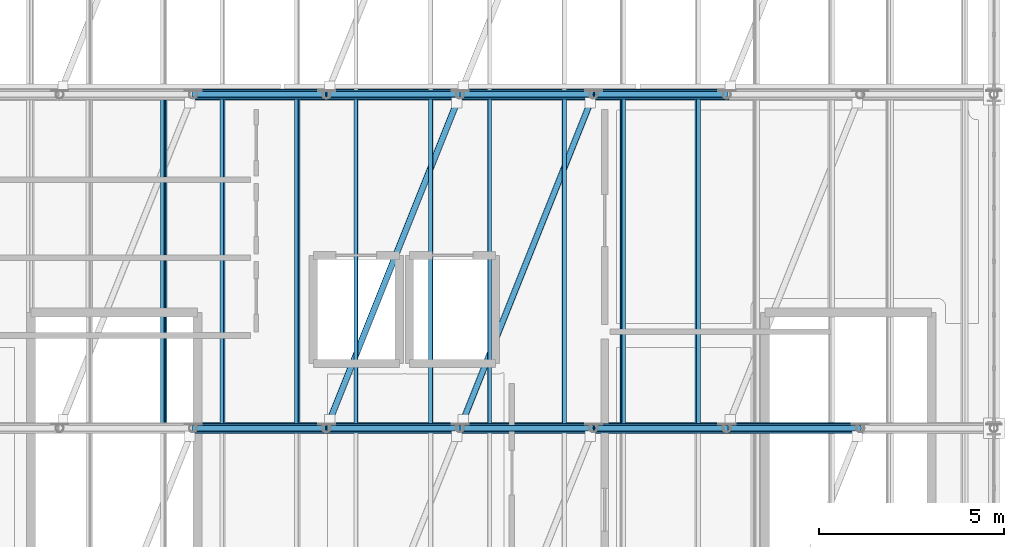
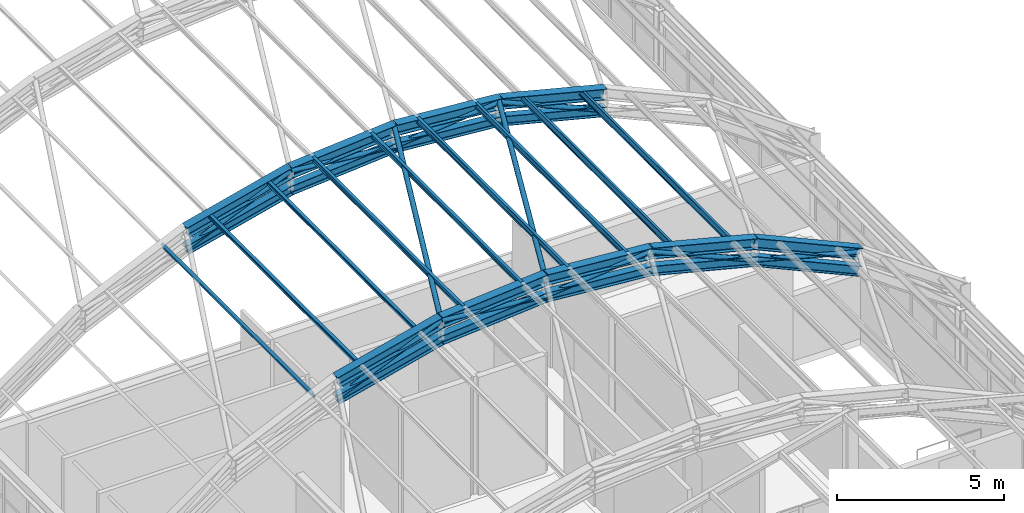
# One storey, part 35 of 121: 29 members, 9 beams.
"""IFC4 building model written with IfcOpenShell, lengths in metres."""

from ifc_helpers import new_model, si_unit, direction, frame, origin, origin_2d, place, context, subcontext, project, spatial, hollow_circle, i_section, extrude, material, material_profile, profile_set, type_object, element, save


model = new_model("IFC4")

# Units and contexts
model_context = context("Model", 3, precision=1e-05, world=origin(), true_north=direction((0.0, 1.0)))
body_context = subcontext(model_context, "Body", "Model", "MODEL_VIEW")
ifc_project = project(units=[si_unit("LENGTHUNIT", "METRE"), si_unit("AREAUNIT", "SQUARE_METRE"), si_unit("VOLUMEUNIT", "CUBIC_METRE"), si_unit("PLANEANGLEUNIT", "RADIAN"), si_unit("MASSUNIT", "GRAM", prefix="KILO")], contexts=[model_context])

# Site, building, storey
site_placement = place(None, origin())
site = spatial("IfcSite", under=ifc_project, at=site_placement, CompositionType="ELEMENT")
building_placement = place(site_placement, origin())
building = spatial("IfcBuilding", under=site, at=building_placement, Name="Canglan Escarpment Cableway Terminal", CompositionType="ELEMENT")
storey_placement = place(building_placement, frame((0.0, 0.0, 24.60009765625)))
storey = spatial("IfcBuildingStorey", under=building, at=storey_placement, Name="L05", CompositionType="ELEMENT", Elevation=24.60009765625)

# Beams
ifc_material = material(Name="Steel Q355B", Category="steel")
ifc_material_profile_1 = material_profile(ifc_material, i_section(OverallWidth=0.300048828125, OverallDepth=0.389892578125, WebThickness=0.010009765625, FlangeThickness=0.01611328125, FilletRadius=0.02197265625, at=origin_2d()), Name="HM 390x300x10x16")
ifc_profile_set_1 = profile_set([ifc_material_profile_1], Name="Steel Q355B")
beam_type = type_object("IfcBeamType", Name="BM-ARCH-TOP-HM390", PredefinedType="BEAM", material=ifc_profile_set_1)
beam_1_placement = place(storey_placement, frame((144.800048828125, 43.0, 7.23828125), z_axis=(0.969179969731, 0.0, 0.246353782743), x_axis=(0.0, 1.0, 0.0)))
element("IfcBeam", 1, at=beam_1_placement, inside=storey, type_object=beam_type, Name="Vault ROOF TRUSS arch top chord AR-TC1", PredefinedType="BEAM", context=body_context, shape_type="SweptSolid", body=[
    extrude(i_section(OverallWidth=0.300048828125, OverallDepth=0.389892578125, WebThickness=0.010009765625, FlangeThickness=0.01611328125, FilletRadius=0.02197265625, at=origin_2d()), origin(), (0.0, 0.0, 1.0), 3.71435546875),
])
for number, where, z_axis, x_axis, name in (
    (2, (148.39990234375, 43.0, 8.1533203125), (0.996622699984, 0.0, 0.082116952426), (0.0, 1.0, 0.0), "Vault ROOF TRUSS arch top chord AR-TC1"),
    (3, (152.0, 43.0, 8.449951171875), (0.996622699984, 0.0, -0.082116952426), (0.0, 1.0, 0.0), "Vault ROOF TRUSS arch top chord AR-TC1"),
):
    element("IfcBeam", number, at=place(storey_placement, frame(where, z_axis=z_axis, x_axis=x_axis)), inside=storey, type_object=beam_type, Name=name, PredefinedType="BEAM", context=body_context, shape_type="SweptSolid", body=[
        extrude(i_section(OverallWidth=0.300048828125, OverallDepth=0.389892578125, WebThickness=0.010009765625, FlangeThickness=0.01611328125, FilletRadius=0.02197265625, at=origin_2d()), origin(), (0.0, 0.0, 1.0), 3.6123046875),
    ])
beam_2_placement = place(storey_placement, frame((155.60009765625, 43.0, 8.1533203125), z_axis=(0.969179969731, 0.0, -0.246353782743), x_axis=(0.0, 1.0, 0.0)))
element("IfcBeam", 4, at=beam_2_placement, inside=storey, type_object=beam_type, Name="Vault ROOF TRUSS arch top chord AR-TC1", PredefinedType="BEAM", context=body_context, shape_type="SweptSolid", body=[
    extrude(i_section(OverallWidth=0.300048828125, OverallDepth=0.389892578125, WebThickness=0.010009765625, FlangeThickness=0.01611328125, FilletRadius=0.02197265625, at=origin_2d()), origin(), (0.0, 0.0, 1.0), 3.71435546875),
])
beam_3_placement = place(storey_placement, frame((159.199951171875, 43.0, 7.23828125), z_axis=(0.911752518833, 0.0, -0.410739996108), x_axis=(0.0, 1.0, 0.0)))
element("IfcBeam", 5, at=beam_3_placement, inside=storey, type_object=beam_type, Name="Vault ROOF TRUSS arch top chord AR-TC1", PredefinedType="BEAM", context=body_context, shape_type="SweptSolid", body=[
    extrude(i_section(OverallWidth=0.300048828125, OverallDepth=0.389892578125, WebThickness=0.010009765625, FlangeThickness=0.01611328125, FilletRadius=0.02197265625, at=origin_2d()), origin(), (0.0, 0.0, 1.0), 3.948486328125),
])
beam_4_placement = place(storey_placement, frame((144.800048828125, 52.0, 7.23828125), z_axis=(0.969179969731, 0.0, 0.246353782743), x_axis=(0.0, 1.0, 0.0)))
element("IfcBeam", 6, at=beam_4_placement, inside=storey, type_object=beam_type, Name="Vault ROOF TRUSS arch top chord AR-TC1", PredefinedType="BEAM", context=body_context, shape_type="SweptSolid", body=[
    extrude(i_section(OverallWidth=0.300048828125, OverallDepth=0.389892578125, WebThickness=0.010009765625, FlangeThickness=0.01611328125, FilletRadius=0.02197265625, at=origin_2d()), origin(), (0.0, 0.0, 1.0), 3.71435546875),
])
for number, where, z_axis, x_axis, name in (
    (7, (148.39990234375, 52.0, 8.1533203125), (0.996622699984, 0.0, 0.082116952426), (0.0, 1.0, 0.0), "Vault ROOF TRUSS arch top chord AR-TC1"),
    (8, (152.0, 52.0, 8.449951171875), (0.996622699984, 0.0, -0.082116952426), (0.0, 1.0, 0.0), "Vault ROOF TRUSS arch top chord AR-TC1"),
):
    element("IfcBeam", number, at=place(storey_placement, frame(where, z_axis=z_axis, x_axis=x_axis)), inside=storey, type_object=beam_type, Name=name, PredefinedType="BEAM", context=body_context, shape_type="SweptSolid", body=[
        extrude(i_section(OverallWidth=0.300048828125, OverallDepth=0.389892578125, WebThickness=0.010009765625, FlangeThickness=0.01611328125, FilletRadius=0.02197265625, at=origin_2d()), origin(), (0.0, 0.0, 1.0), 3.6123046875),
    ])
beam_5_placement = place(storey_placement, frame((155.60009765625, 52.0, 8.1533203125), z_axis=(0.969179969731, 0.0, -0.246353782743), x_axis=(0.0, 1.0, 0.0)))
element("IfcBeam", 9, at=beam_5_placement, inside=storey, type_object=beam_type, Name="Vault ROOF TRUSS arch top chord AR-TC1", PredefinedType="BEAM", context=body_context, shape_type="SweptSolid", body=[
    extrude(i_section(OverallWidth=0.300048828125, OverallDepth=0.389892578125, WebThickness=0.010009765625, FlangeThickness=0.01611328125, FilletRadius=0.02197265625, at=origin_2d()), origin(), (0.0, 0.0, 1.0), 3.71435546875),
])

# Members
ifc_material_profile_2 = material_profile(ifc_material, i_section(OverallWidth=0.25, OverallDepth=0.340087890625, WebThickness=0.009033203125, FlangeThickness=0.013916015625, FilletRadius=0.02001953125, at=origin_2d()), Name="HM 340x250x9x14")
ifc_profile_set_2 = profile_set([ifc_material_profile_2], Name="Steel Q355B")
member_type_1 = type_object("IfcMemberType", Name="MB-ARCH-BOT-HM340", PredefinedType="CHORD", material=ifc_profile_set_2)
member_1_placement = place(storey_placement, frame((144.800048828125, 43.0, 6.58837890625), z_axis=(0.969179969731, 0.0, 0.246353782743), x_axis=(0.0, 1.0, 0.0)))
element("IfcMember", 10, at=member_1_placement, inside=storey, type_object=member_type_1, Name="Vault ROOF TRUSS arch bottom chord AR-BC1", PredefinedType="CHORD", context=body_context, shape_type="SweptSolid", body=[
    extrude(i_section(OverallWidth=0.25, OverallDepth=0.340087890625, WebThickness=0.009033203125, FlangeThickness=0.013916015625, FilletRadius=0.02001953125, at=origin_2d()), origin(), (0.0, 0.0, 1.0), 3.71435546875),
])
for number, where, z_axis, x_axis, name in (
    (11, (148.39990234375, 43.0, 7.50341796875), (0.996628228964, 0.0, 0.082049821644), (0.0, 1.0, 0.0), "Vault ROOF TRUSS arch bottom chord AR-BC1"),
    (12, (152.0, 43.0, 7.7998046875), (0.996628228964, 0.0, -0.082049821644), (0.0, 1.0, 0.0), "Vault ROOF TRUSS arch bottom chord AR-BC1"),
):
    element("IfcMember", number, at=place(storey_placement, frame(where, z_axis=z_axis, x_axis=x_axis)), inside=storey, type_object=member_type_1, Name=name, PredefinedType="CHORD", context=body_context, shape_type="SweptSolid", body=[
        extrude(i_section(OverallWidth=0.25, OverallDepth=0.340087890625, WebThickness=0.009033203125, FlangeThickness=0.013916015625, FilletRadius=0.02001953125, at=origin_2d()), origin(), (0.0, 0.0, 1.0), 3.6123046875),
    ])
member_2_placement = place(storey_placement, frame((155.60009765625, 43.0, 7.50341796875), z_axis=(0.969179969731, 0.0, -0.246353782743), x_axis=(0.0, 1.0, 0.0)))
element("IfcMember", 13, at=member_2_placement, inside=storey, type_object=member_type_1, Name="Vault ROOF TRUSS arch bottom chord AR-BC1", PredefinedType="CHORD", context=body_context, shape_type="SweptSolid", body=[
    extrude(i_section(OverallWidth=0.25, OverallDepth=0.340087890625, WebThickness=0.009033203125, FlangeThickness=0.013916015625, FilletRadius=0.02001953125, at=origin_2d()), origin(), (0.0, 0.0, 1.0), 3.71435546875),
])
member_3_placement = place(storey_placement, frame((159.199951171875, 43.0, 6.58837890625), z_axis=(0.911752518833, 0.0, -0.410739996108), x_axis=(0.0, 1.0, 0.0)))
element("IfcMember", 14, at=member_3_placement, inside=storey, type_object=member_type_1, Name="Vault ROOF TRUSS arch bottom chord AR-BC1", PredefinedType="CHORD", context=body_context, shape_type="SweptSolid", body=[
    extrude(i_section(OverallWidth=0.25, OverallDepth=0.340087890625, WebThickness=0.009033203125, FlangeThickness=0.013916015625, FilletRadius=0.02001953125, at=origin_2d()), origin(), (0.0, 0.0, 1.0), 3.948486328125),
])
member_4_placement = place(storey_placement, frame((144.800048828125, 52.0, 6.58837890625), z_axis=(0.969179969731, 0.0, 0.246353782743), x_axis=(0.0, 1.0, 0.0)))
element("IfcMember", 15, at=member_4_placement, inside=storey, type_object=member_type_1, Name="Vault ROOF TRUSS arch bottom chord AR-BC1", PredefinedType="CHORD", context=body_context, shape_type="SweptSolid", body=[
    extrude(i_section(OverallWidth=0.25, OverallDepth=0.340087890625, WebThickness=0.009033203125, FlangeThickness=0.013916015625, FilletRadius=0.02001953125, at=origin_2d()), origin(), (0.0, 0.0, 1.0), 3.71435546875),
])
for number, where, z_axis, x_axis, name in (
    (16, (148.39990234375, 52.0, 7.50341796875), (0.996628228964, 0.0, 0.082049821644), (0.0, 1.0, 0.0), "Vault ROOF TRUSS arch bottom chord AR-BC1"),
    (17, (152.0, 52.0, 7.7998046875), (0.996628228964, 0.0, -0.082049821644), (0.0, 1.0, 0.0), "Vault ROOF TRUSS arch bottom chord AR-BC1"),
):
    element("IfcMember", number, at=place(storey_placement, frame(where, z_axis=z_axis, x_axis=x_axis)), inside=storey, type_object=member_type_1, Name=name, PredefinedType="CHORD", context=body_context, shape_type="SweptSolid", body=[
        extrude(i_section(OverallWidth=0.25, OverallDepth=0.340087890625, WebThickness=0.009033203125, FlangeThickness=0.013916015625, FilletRadius=0.02001953125, at=origin_2d()), origin(), (0.0, 0.0, 1.0), 3.6123046875),
    ])
member_5_placement = place(storey_placement, frame((155.60009765625, 52.0, 7.50341796875), z_axis=(0.969179969731, 0.0, -0.246353782743), x_axis=(0.0, 1.0, 0.0)))
element("IfcMember", 18, at=member_5_placement, inside=storey, type_object=member_type_1, Name="Vault ROOF TRUSS arch bottom chord AR-BC1", PredefinedType="CHORD", context=body_context, shape_type="SweptSolid", body=[
    extrude(i_section(OverallWidth=0.25, OverallDepth=0.340087890625, WebThickness=0.009033203125, FlangeThickness=0.013916015625, FilletRadius=0.02001953125, at=origin_2d()), origin(), (0.0, 0.0, 1.0), 3.71435546875),
])
ifc_material_profile_3 = material_profile(ifc_material, hollow_circle(Radius=0.084228515625, WallThickness=0.006103515625, at=origin_2d()), Name="CHS 168.3x6")
ifc_profile_set_3 = profile_set([ifc_material_profile_3], Name="Steel Q355B")
member_type_2 = type_object("IfcMemberType", Name="MB-ARCH-DIAG-CHS168", PredefinedType="BRACE", material=ifc_profile_set_3)
member_6_placement = place(storey_placement, frame((144.800048828125, 43.0, 6.58837890625), z_axis=(0.917089831489, 0.0, 0.398680625286), x_axis=(0.0, 1.0, 0.0)))
element("IfcMember", 19, at=member_6_placement, inside=storey, type_object=member_type_2, Name="Vault ROOF TRUSS web diagonal AR-DG1", PredefinedType="BRACE", context=body_context, shape_type="SweptSolid", body=[
    extrude(hollow_circle(Radius=0.084228515625, WallThickness=0.006103515625, at=origin_2d()), origin(), (0.0, 0.0, 1.0), 3.92529296875),
])
for number, where, z_axis, x_axis, name in (
    (20, (148.39990234375, 43.0, 8.1533203125), (0.995213349609, 0.0, -0.097726090481), (0.0, 1.0, 0.0), "Vault ROOF TRUSS web diagonal AR-DG1"),
    (21, (152.0, 43.0, 7.7998046875), (0.995213349609, 0.0, 0.097726090481), (0.0, 1.0, 0.0), "Vault ROOF TRUSS web diagonal AR-DG1"),
):
    element("IfcMember", number, at=place(storey_placement, frame(where, z_axis=z_axis, x_axis=x_axis)), inside=storey, type_object=member_type_2, Name=name, PredefinedType="BRACE", context=body_context, shape_type="SweptSolid", body=[
        extrude(hollow_circle(Radius=0.084228515625, WallThickness=0.006103515625, at=origin_2d()), origin(), (0.0, 0.0, 1.0), 3.617431640625),
    ])
member_7_placement = place(storey_placement, frame((155.60009765625, 43.0, 8.1533203125), z_axis=(0.917089831489, 0.0, -0.398680625286), x_axis=(0.0, 1.0, 0.0)))
element("IfcMember", 22, at=member_7_placement, inside=storey, type_object=member_type_2, Name="Vault ROOF TRUSS web diagonal AR-DG1", PredefinedType="BRACE", context=body_context, shape_type="SweptSolid", body=[
    extrude(hollow_circle(Radius=0.084228515625, WallThickness=0.006103515625, at=origin_2d()), origin(), (0.0, 0.0, 1.0), 3.92529296875),
])
member_8_placement = place(storey_placement, frame((159.199951171875, 43.0, 6.58837890625), z_axis=(0.96543600217, 0.0, -0.260640222748), x_axis=(0.0, 1.0, 0.0)))
element("IfcMember", 23, at=member_8_placement, inside=storey, type_object=member_type_2, Name="Vault ROOF TRUSS web diagonal AR-DG1", PredefinedType="BRACE", context=body_context, shape_type="SweptSolid", body=[
    extrude(hollow_circle(Radius=0.084228515625, WallThickness=0.006103515625, at=origin_2d()), origin(), (0.0, 0.0, 1.0), 3.72900390625),
])
member_9_placement = place(storey_placement, frame((144.800048828125, 52.0, 6.58837890625), z_axis=(0.917089831489, 0.0, 0.398680625286), x_axis=(0.0, 1.0, 0.0)))
element("IfcMember", 24, at=member_9_placement, inside=storey, type_object=member_type_2, Name="Vault ROOF TRUSS web diagonal AR-DG1", PredefinedType="BRACE", context=body_context, shape_type="SweptSolid", body=[
    extrude(hollow_circle(Radius=0.084228515625, WallThickness=0.006103515625, at=origin_2d()), origin(), (0.0, 0.0, 1.0), 3.92529296875),
])
for number, where, z_axis, x_axis, name in (
    (25, (148.39990234375, 52.0, 8.1533203125), (0.995213349609, 0.0, -0.097726090481), (0.0, 1.0, 0.0), "Vault ROOF TRUSS web diagonal AR-DG1"),
    (26, (152.0, 52.0, 7.7998046875), (0.995213349609, 0.0, 0.097726090481), (0.0, 1.0, 0.0), "Vault ROOF TRUSS web diagonal AR-DG1"),
):
    element("IfcMember", number, at=place(storey_placement, frame(where, z_axis=z_axis, x_axis=x_axis)), inside=storey, type_object=member_type_2, Name=name, PredefinedType="BRACE", context=body_context, shape_type="SweptSolid", body=[
        extrude(hollow_circle(Radius=0.084228515625, WallThickness=0.006103515625, at=origin_2d()), origin(), (0.0, 0.0, 1.0), 3.617431640625),
    ])
member_10_placement = place(storey_placement, frame((155.60009765625, 52.0, 8.1533203125), z_axis=(0.917089831489, 0.0, -0.398680625286), x_axis=(0.0, 1.0, 0.0)))
element("IfcMember", 27, at=member_10_placement, inside=storey, type_object=member_type_2, Name="Vault ROOF TRUSS web diagonal AR-DG1", PredefinedType="BRACE", context=body_context, shape_type="SweptSolid", body=[
    extrude(hollow_circle(Radius=0.084228515625, WallThickness=0.006103515625, at=origin_2d()), origin(), (0.0, 0.0, 1.0), 3.92529296875),
])
ifc_material_profile_4 = material_profile(ifc_material, hollow_circle(Radius=0.084228515625, WallThickness=0.006103515625, at=origin_2d()), Name="CHS 168.3x6")
ifc_profile_set_4 = profile_set([ifc_material_profile_4], Name="Steel Q355B")
member_type_3 = type_object("IfcMemberType", Name="MB-ROOF-BR-CHS168", PredefinedType="BRACE", material=ifc_profile_set_4)
for number, where, z_axis, x_axis, name in (
    (28, (148.39990234375, 43.0, 8.1533203125), (0.371225584171, 0.928038785765, 0.030587215839), (-0.928473216852, 0.37139936132, 0.0), "Vault roof plane wind brace BR-03"),
    (29, (152.0, 43.0, 8.449951171875), (0.371225584171, 0.928038785765, -0.030587215839), (-0.928473216852, 0.37139936132, 0.0), "Vault roof plane wind brace BR-03"),
):
    element("IfcMember", number, at=place(storey_placement, frame(where, z_axis=z_axis, x_axis=x_axis)), inside=storey, type_object=member_type_3, Name=name, PredefinedType="BRACE", context=body_context, shape_type="SweptSolid", body=[
        extrude(hollow_circle(Radius=0.084228515625, WallThickness=0.006103515625, at=origin_2d()), origin(), (0.0, 0.0, 1.0), 9.69775390625),
    ])
ifc_material_profile_5 = material_profile(ifc_material, i_section(OverallWidth=0.10009765625, OverallDepth=0.199951171875, WebThickness=0.005615234375, FlangeThickness=0.008056640625, FilletRadius=0.010986328125, at=origin_2d()), Name="HN 200x100x5.5x8")
ifc_profile_set_5 = profile_set([ifc_material_profile_5], Name="Steel Q355B")
member_type_4 = type_object("IfcMemberType", Name="MB-VAULT-PUR-HN200", PredefinedType="PURLIN", material=ifc_profile_set_5)
for number, where, z_axis, x_axis, name in (
    (30, (144.008056640625, 43.0, 6.968017578125), (0.0, 1.0, 0.0), (-0.911740537138, 0.0, -0.410766591799), "Barrel-vault roof purlin PR-01"),
    (31, (145.592041015625, 43.0, 7.533203125), (0.0, 1.0, 0.0), (-0.969183633805, 0.0, -0.246339367468), "Barrel-vault roof purlin PR-01"),
    (32, (147.60791015625, 43.0, 8.045654296875), (0.0, 1.0, 0.0), (-0.969183633805, 0.0, -0.246339367468), "Barrel-vault roof purlin PR-01"),
    (33, (149.19189453125, 43.0, 8.315185546875), (0.0, 1.0, 0.0), (-0.996625936329, 0.0, -0.082077664662), "Barrel-vault roof purlin PR-01"),
    (34, (151.2080078125, 43.0, 8.481201171875), (0.0, 1.0, 0.0), (-0.996625936329, 0.0, -0.082077664662), "Barrel-vault roof purlin PR-01"),
    (35, (152.7919921875, 43.0, 8.481201171875), (0.0, 1.0, 0.0), (-0.996625936329, 0.0, 0.082077664662), "Barrel-vault roof purlin PR-01"),
    (36, (154.80810546875, 43.0, 8.315185546875), (0.0, 1.0, 0.0), (-0.996625936329, 0.0, 0.082077664662), "Barrel-vault roof purlin PR-01"),
    (37, (156.39208984375, 43.0, 8.045654296875), (0.0, 1.0, 0.0), (-0.969183633805, 0.0, 0.246339367468), "Barrel-vault roof purlin PR-01"),
    (38, (158.407958984375, 43.0, 7.533203125), (0.0, 1.0, 0.0), (-0.969183633805, 0.0, 0.246339367468), "Barrel-vault roof purlin PR-01"),
):
    element("IfcMember", number, at=place(storey_placement, frame(where, z_axis=z_axis, x_axis=x_axis)), inside=storey, type_object=member_type_4, Name=name, PredefinedType="PURLIN", context=body_context, shape_type="SweptSolid", body=[
        extrude(i_section(OverallWidth=0.10009765625, OverallDepth=0.199951171875, WebThickness=0.005615234375, FlangeThickness=0.008056640625, FilletRadius=0.010986328125, at=origin_2d()), origin(), (0.0, 0.0, 1.0), 9.0),
    ])

save(model, "model.ifc")
